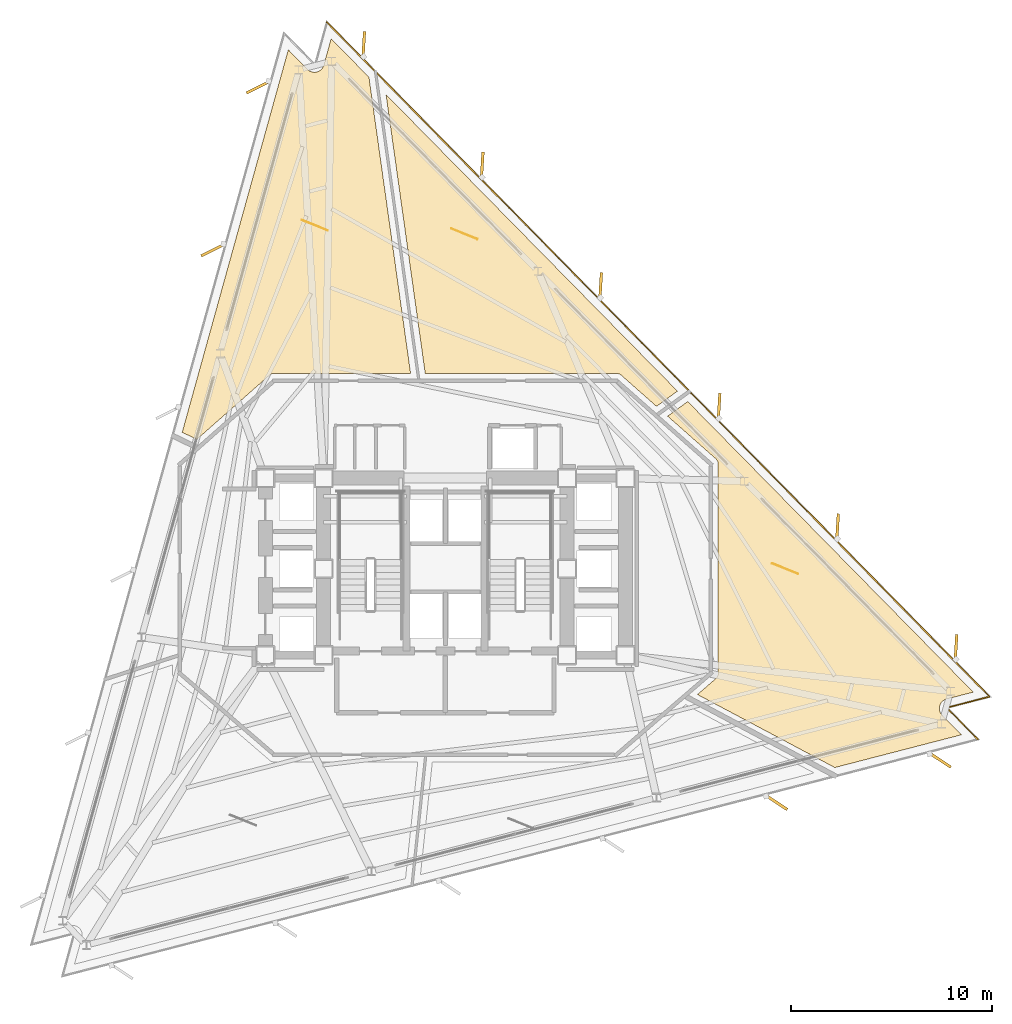
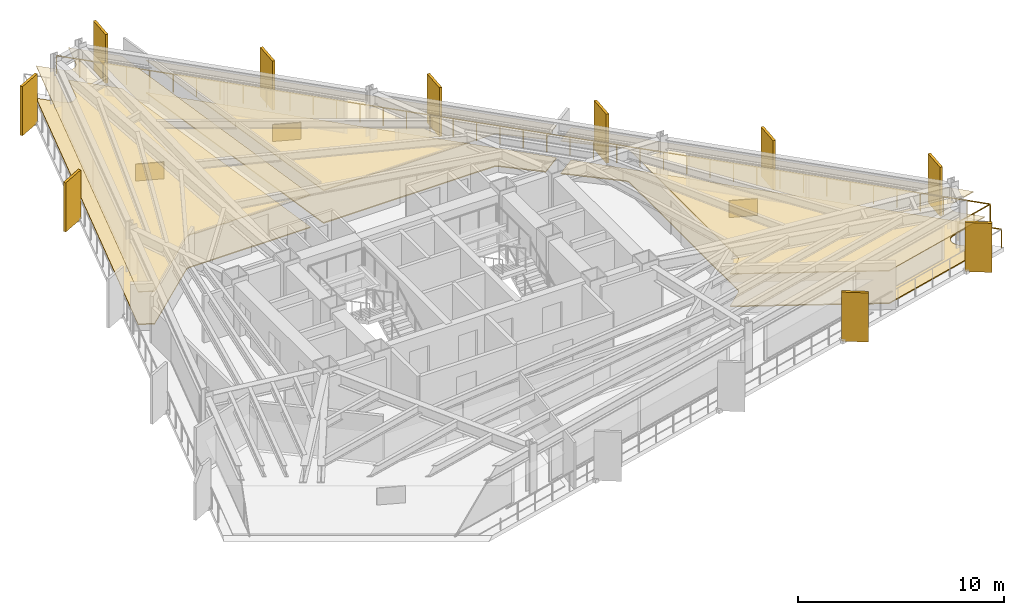
# One storey, part 11 of 11: 10 shading devices, 9 coverings, 1 railing.
"""IFC4 building model written with IfcOpenShell, lengths in metres."""

from ifc_helpers import new_model, si_unit, direction, frame, origin, origin_2d, place, context, subcontext, project, spatial, polyline, rectangle, outline, extrude, material, layer, layer_set, type_object, element, save


model = new_model("IFC4")

# Units and contexts
model_context = context("Model", 3, precision=1e-05, world=origin(), true_north=direction((0.0, 1.0)))
body_context = subcontext(model_context, "Body", "Model", "MODEL_VIEW")
ifc_project = project(units=[si_unit("LENGTHUNIT", "METRE"), si_unit("AREAUNIT", "SQUARE_METRE"), si_unit("VOLUMEUNIT", "CUBIC_METRE"), si_unit("PLANEANGLEUNIT", "RADIAN"), si_unit("MASSUNIT", "GRAM", prefix="KILO")], contexts=[model_context])

# Site, building, storey
site_placement = place(None, origin())
site = spatial("IfcSite", under=ifc_project, at=site_placement, CompositionType="ELEMENT")
building_placement = place(site_placement, origin())
building = spatial("IfcBuilding", under=site, at=building_placement, Name="Rocaltana Carrier Exchange", CompositionType="ELEMENT")
storey_placement = place(building_placement, frame((0.0, 0.0, 88.639892578125)))
storey = spatial("IfcBuildingStorey", under=building, at=storey_placement, Name="L27", CompositionType="ELEMENT", Elevation=88.639892578125)

# Coverings
ifc_material_1 = material(Name="Calcium Sulphate & Aluminium Pedestal", Category="aluminium")
ifc_layer_1 = layer(ifc_material_1, 0.06005859375)
ifc_layer_set_1 = layer_set([ifc_layer_1], Name="Calcium Sulphate & Aluminium Pedestal")
covering_type_1 = type_object("IfcCoveringType", Name="Anti-Static Raised Exchange Access Floor 60", PredefinedType="FLOORING", material=ifc_layer_set_1)
covering_1_placement = place(storey_placement, origin())
element("IfcCovering", 1, at=covering_1_placement, inside=storey, type_object=covering_type_1, Name="L27 Optical Switching Laboratory Finish Floor", PredefinedType="FLOORING", context=body_context, shape_type="SweptSolid", body=[
    extrude(outline(polyline([(26.24072265625, -6.1357421875), (24.915771484375, -6.478515625), (24.90234375, -6.482177734375), (24.88330078125, -6.48828125), (24.857177734375, -6.497802734375), (24.838623046875, -6.505615234375), (24.813720703125, -6.517822265625), (24.796142578125, -6.52734375), (24.7724609375, -6.5419921875), (24.755859375, -6.553466796875), (24.73388671875, -6.5703125), (24.718505859375, -6.583251953125), (24.697998046875, -6.602294921875), (24.684326171875, -6.61669921875), (24.666015625, -6.6376953125), (24.653564453125, -6.6533203125), (24.63720703125, -6.67578125), (24.62646484375, -6.692626953125), (24.61279296875, -6.717041015625), (24.603515625, -6.734619140625), (24.59228515625, -6.76025390625), (24.5849609375, -6.77880859375), (24.576416015625, -6.805419921875), (24.57080078125, -6.824462890625), (24.564697265625, -6.851806640625), (24.561279296875, -6.871337890625), (24.55810546875, -6.899169921875), (24.556640625, -6.9189453125), (24.55615234375, -6.947021484375), (24.556640625, -6.966796875), (24.558837890625, -6.99462890625), (24.561279296875, -7.014404296875), (24.56640625, -7.0419921875), (24.57080078125, -7.061279296875), (24.57861328125, -7.088134765625), (24.5849609375, -7.10693359375), (24.59521484375, -7.133056640625), (24.603515625, -7.151123046875), (24.6162109375, -7.17578125), (24.626220703125, -7.193115234375), (24.6416015625, -7.216552734375), (24.6533203125, -7.232666015625), (24.6708984375, -7.25439453125), (24.68408203125, -7.269287109375), (24.693603515625, -7.279541015625), (25.65283203125, -8.255615234375), (19.356201171875, -9.884033203125), (12.528564453125, -6.25390625), (13.43505859375, -5.47265625), (13.44482421875, -5.4638671875), (13.450439453125, -5.45849609375), (13.468994140625, -5.439208984375), (13.47412109375, -5.433349609375), (13.490478515625, -5.41259765625), (13.4951171875, -5.40625), (13.509521484375, -5.3837890625), (13.51318359375, -5.377197265625), (13.525634765625, -5.353515625), (13.52880859375, -5.346435546875), (13.538818359375, -5.32177734375), (13.541259765625, -5.314453125), (13.548828125, -5.288818359375), (13.550537109375, -5.281494140625), (13.5556640625, -5.255126953125), (13.556884765625, -5.24755859375), (13.559326171875, -5.220947265625), (13.559814453125, -5.21337890625), (13.56005859375, -5.199951171875), (13.56005859375, 5.199951171875), (13.559814453125, 5.213134765625), (13.559326171875, 5.220703125), (13.556884765625, 5.246826171875), (13.555908203125, 5.25439453125), (13.55078125, 5.2802734375), (13.549072265625, 5.28759765625), (13.541748046875, 5.31298828125), (13.539306640625, 5.320068359375), (13.529541015625, 5.344482421875), (13.526611328125, 5.351318359375), (13.5146484375, 5.375), (13.5107421875, 5.38134765625), (13.49658203125, 5.40380859375), (13.492431640625, 5.409912109375), (13.476318359375, 5.4306640625), (13.471435546875, 5.436279296875), (13.453369140625, 5.455810546875), (13.447998046875, 5.4609375), (13.438232421875, 5.469970703125), (11.047119140625, 7.581298828125), (12.047119140625, 8.307861328125), (26.24072265625, -6.1357421875)])), origin(), (0.0, 0.0, 1.0), 0.06005859375),
])
covering_2_placement = place(storey_placement, origin())
element("IfcCovering", 2, at=covering_2_placement, inside=storey, type_object=covering_type_1, Name="L27 Quiet Focus Lounge Finish Floor", PredefinedType="FLOORING", context=body_context, shape_type="SweptSolid", body=[
    extrude(outline(polyline([(11.536865234375, 8.826904296875), (10.494140625, 8.0693359375), (8.73828125, 9.619873046875), (8.727294921875, 9.629150390625), (8.720703125, 9.63427734375), (8.697265625, 9.651123046875), (8.690185546875, 9.655517578125), (8.6650390625, 9.669921875), (8.65771484375, 9.673583984375), (8.631103515625, 9.68505859375), (8.62353515625, 9.68798828125), (8.595947265625, 9.697021484375), (8.587890625, 9.698974609375), (8.5595703125, 9.704833984375), (8.551513671875, 9.706298828125), (8.522705078125, 9.709228515625), (8.514404296875, 9.709716796875), (8.5, 9.7099609375), (-1.001220703125, 9.7099609375), (-2.94873046875, 23.567626953125), (11.536865234375, 8.826904296875)])), origin(), (0.0, 0.0, 1.0), 0.06005859375),
])
covering_3_placement = place(storey_placement, origin())
element("IfcCovering", 3, at=covering_3_placement, inside=storey, type_object=covering_type_1, Name="L27 Peering Conference Room Finish Floor", PredefinedType="FLOORING", context=body_context, shape_type="SweptSolid", body=[
    extrude(outline(polyline([(-7.806640625, 25.79296875), (-6.847412109375, 24.81689453125), (-6.83740234375, 24.80712890625), (-6.82275390625, 24.793701171875), (-6.80126953125, 24.775634765625), (-6.785400390625, 24.763671875), (-6.76220703125, 24.748046875), (-6.7451171875, 24.73779296875), (-6.720703125, 24.724609375), (-6.70263671875, 24.7158203125), (-6.677001953125, 24.705078125), (-6.658203125, 24.698486328125), (-6.63134765625, 24.690185546875), (-6.612060546875, 24.685302734375), (-6.584716796875, 24.679931640625), (-6.56494140625, 24.677001953125), (-6.537109375, 24.67431640625), (-6.517333984375, 24.673583984375), (-6.489501953125, 24.673583984375), (-6.469482421875, 24.6748046875), (-6.441650390625, 24.677490234375), (-6.422119140625, 24.6806640625), (-6.39453125, 24.686279296875), (-6.375244140625, 24.691162109375), (-6.3486328125, 24.699462890625), (-6.330078125, 24.706298828125), (-6.30419921875, 24.71728515625), (-6.286376953125, 24.72607421875), (-6.261962890625, 24.739501953125), (-6.244873046875, 24.75), (-6.221923828125, 24.765869140625), (-6.2060546875, 24.77783203125), (-6.184814453125, 24.7958984375), (-6.170166015625, 24.8095703125), (-6.15087890625, 24.82958984375), (-6.1376953125, 24.844482421875), (-6.120361328125, 24.866455078125), (-6.108642578125, 24.8828125), (-6.09375, 24.90625), (-6.083740234375, 24.923583984375), (-6.071044921875, 24.948486328125), (-6.06298828125, 24.966552734375), (-6.052978515625, 24.99267578125), (-6.046630859375, 25.01171875), (-6.04248046875, 25.02490234375), (-5.6767578125, 26.34375), (-3.797119140625, 24.430908203125), (-1.728271484375, 9.7099609375), (-8.5, 9.7099609375), (-8.514404296875, 9.709716796875), (-8.522705078125, 9.709228515625), (-8.551513671875, 9.706298828125), (-8.5595703125, 9.704833984375), (-8.587890625, 9.698974609375), (-8.595947265625, 9.697021484375), (-8.62353515625, 9.68798828125), (-8.631103515625, 9.68505859375), (-8.65771484375, 9.673583984375), (-8.6650390625, 9.669921875), (-8.690185546875, 9.655517578125), (-8.697265625, 9.651123046875), (-8.720703125, 9.63427734375), (-8.727294921875, 9.629150390625), (-8.73828125, 9.619873046875), (-12.35498046875, 6.426513671875), (-13.07958984375, 6.77978515625), (-7.806640625, 25.79296875)])), origin(), (0.0, 0.0, 1.0), 0.06005859375),
])
ifc_material_2 = material(Name="Mineral Fibre & Powder-Coated Aluminium", Category="aluminium")
ifc_layer_2 = layer(ifc_material_2, 0.044921875)
ifc_layer_set_2 = layer_set([ifc_layer_2], Name="Mineral Fibre & Powder-Coated Aluminium")
covering_type_2 = type_object("IfcCoveringType", Name="Micro-Perforated Acoustic Ceiling 45", PredefinedType="CEILING", material=ifc_layer_set_2)
covering_4_placement = place(storey_placement, frame((0.0, 0.0, 1.93310546875)))
element("IfcCovering", 4, at=covering_4_placement, inside=storey, type_object=covering_type_2, Name="L27 Optical Switching Laboratory Acoustic Ceiling", PredefinedType="CEILING", context=body_context, shape_type="SweptSolid", body=[
    extrude(outline(polyline([(26.24072265625, -6.1357421875), (24.915771484375, -6.478515625), (24.90234375, -6.482177734375), (24.88330078125, -6.48828125), (24.857177734375, -6.497802734375), (24.838623046875, -6.505615234375), (24.813720703125, -6.517822265625), (24.796142578125, -6.52734375), (24.7724609375, -6.5419921875), (24.755859375, -6.553466796875), (24.73388671875, -6.5703125), (24.718505859375, -6.583251953125), (24.697998046875, -6.602294921875), (24.684326171875, -6.61669921875), (24.666015625, -6.6376953125), (24.653564453125, -6.6533203125), (24.63720703125, -6.67578125), (24.62646484375, -6.692626953125), (24.61279296875, -6.717041015625), (24.603515625, -6.734619140625), (24.59228515625, -6.76025390625), (24.5849609375, -6.77880859375), (24.576416015625, -6.805419921875), (24.57080078125, -6.824462890625), (24.564697265625, -6.851806640625), (24.561279296875, -6.871337890625), (24.55810546875, -6.899169921875), (24.556640625, -6.9189453125), (24.55615234375, -6.947021484375), (24.556640625, -6.966796875), (24.558837890625, -6.99462890625), (24.561279296875, -7.014404296875), (24.56640625, -7.0419921875), (24.57080078125, -7.061279296875), (24.57861328125, -7.088134765625), (24.5849609375, -7.10693359375), (24.59521484375, -7.133056640625), (24.603515625, -7.151123046875), (24.6162109375, -7.17578125), (24.626220703125, -7.193115234375), (24.6416015625, -7.216552734375), (24.6533203125, -7.232666015625), (24.6708984375, -7.25439453125), (24.68408203125, -7.269287109375), (24.693603515625, -7.279541015625), (25.65283203125, -8.255615234375), (19.356201171875, -9.884033203125), (12.528564453125, -6.25390625), (13.43505859375, -5.47265625), (13.44482421875, -5.4638671875), (13.450439453125, -5.45849609375), (13.468994140625, -5.439208984375), (13.47412109375, -5.433349609375), (13.490478515625, -5.41259765625), (13.4951171875, -5.40625), (13.509521484375, -5.3837890625), (13.51318359375, -5.377197265625), (13.525634765625, -5.353515625), (13.52880859375, -5.346435546875), (13.538818359375, -5.32177734375), (13.541259765625, -5.314453125), (13.548828125, -5.288818359375), (13.550537109375, -5.281494140625), (13.5556640625, -5.255126953125), (13.556884765625, -5.24755859375), (13.559326171875, -5.220947265625), (13.559814453125, -5.21337890625), (13.56005859375, -5.199951171875), (13.56005859375, 5.199951171875), (13.559814453125, 5.213134765625), (13.559326171875, 5.220703125), (13.556884765625, 5.246826171875), (13.555908203125, 5.25439453125), (13.55078125, 5.2802734375), (13.549072265625, 5.28759765625), (13.541748046875, 5.31298828125), (13.539306640625, 5.320068359375), (13.529541015625, 5.344482421875), (13.526611328125, 5.351318359375), (13.5146484375, 5.375), (13.5107421875, 5.38134765625), (13.49658203125, 5.40380859375), (13.492431640625, 5.409912109375), (13.476318359375, 5.4306640625), (13.471435546875, 5.436279296875), (13.453369140625, 5.455810546875), (13.447998046875, 5.4609375), (13.438232421875, 5.469970703125), (11.047119140625, 7.581298828125), (12.047119140625, 8.307861328125), (26.24072265625, -6.1357421875)])), origin(), (0.0, 0.0, 1.0), 0.044921875),
])
covering_5_placement = place(storey_placement, frame((0.0, 0.0, 1.93310546875)))
element("IfcCovering", 5, at=covering_5_placement, inside=storey, type_object=covering_type_2, Name="L27 Quiet Focus Lounge Acoustic Ceiling", PredefinedType="CEILING", context=body_context, shape_type="SweptSolid", body=[
    extrude(outline(polyline([(11.536865234375, 8.826904296875), (10.494140625, 8.0693359375), (8.73828125, 9.619873046875), (8.727294921875, 9.629150390625), (8.720703125, 9.63427734375), (8.697265625, 9.651123046875), (8.690185546875, 9.655517578125), (8.6650390625, 9.669921875), (8.65771484375, 9.673583984375), (8.631103515625, 9.68505859375), (8.62353515625, 9.68798828125), (8.595947265625, 9.697021484375), (8.587890625, 9.698974609375), (8.5595703125, 9.704833984375), (8.551513671875, 9.706298828125), (8.522705078125, 9.709228515625), (8.514404296875, 9.709716796875), (8.5, 9.7099609375), (-1.001220703125, 9.7099609375), (-2.94873046875, 23.567626953125), (11.536865234375, 8.826904296875)])), origin(), (0.0, 0.0, 1.0), 0.044921875),
])
covering_6_placement = place(storey_placement, frame((0.0, 0.0, 1.93310546875)))
element("IfcCovering", 6, at=covering_6_placement, inside=storey, type_object=covering_type_2, Name="L27 Peering Conference Room Acoustic Ceiling", PredefinedType="CEILING", context=body_context, shape_type="SweptSolid", body=[
    extrude(outline(polyline([(-7.806640625, 25.79296875), (-6.847412109375, 24.81689453125), (-6.83740234375, 24.80712890625), (-6.82275390625, 24.793701171875), (-6.80126953125, 24.775634765625), (-6.785400390625, 24.763671875), (-6.76220703125, 24.748046875), (-6.7451171875, 24.73779296875), (-6.720703125, 24.724609375), (-6.70263671875, 24.7158203125), (-6.677001953125, 24.705078125), (-6.658203125, 24.698486328125), (-6.63134765625, 24.690185546875), (-6.612060546875, 24.685302734375), (-6.584716796875, 24.679931640625), (-6.56494140625, 24.677001953125), (-6.537109375, 24.67431640625), (-6.517333984375, 24.673583984375), (-6.489501953125, 24.673583984375), (-6.469482421875, 24.6748046875), (-6.441650390625, 24.677490234375), (-6.422119140625, 24.6806640625), (-6.39453125, 24.686279296875), (-6.375244140625, 24.691162109375), (-6.3486328125, 24.699462890625), (-6.330078125, 24.706298828125), (-6.30419921875, 24.71728515625), (-6.286376953125, 24.72607421875), (-6.261962890625, 24.739501953125), (-6.244873046875, 24.75), (-6.221923828125, 24.765869140625), (-6.2060546875, 24.77783203125), (-6.184814453125, 24.7958984375), (-6.170166015625, 24.8095703125), (-6.15087890625, 24.82958984375), (-6.1376953125, 24.844482421875), (-6.120361328125, 24.866455078125), (-6.108642578125, 24.8828125), (-6.09375, 24.90625), (-6.083740234375, 24.923583984375), (-6.071044921875, 24.948486328125), (-6.06298828125, 24.966552734375), (-6.052978515625, 24.99267578125), (-6.046630859375, 25.01171875), (-6.04248046875, 25.02490234375), (-5.6767578125, 26.34375), (-3.797119140625, 24.430908203125), (-1.728271484375, 9.7099609375), (-8.5, 9.7099609375), (-8.514404296875, 9.709716796875), (-8.522705078125, 9.709228515625), (-8.551513671875, 9.706298828125), (-8.5595703125, 9.704833984375), (-8.587890625, 9.698974609375), (-8.595947265625, 9.697021484375), (-8.62353515625, 9.68798828125), (-8.631103515625, 9.68505859375), (-8.65771484375, 9.673583984375), (-8.6650390625, 9.669921875), (-8.690185546875, 9.655517578125), (-8.697265625, 9.651123046875), (-8.720703125, 9.63427734375), (-8.727294921875, 9.629150390625), (-8.73828125, 9.619873046875), (-12.35498046875, 6.426513671875), (-13.07958984375, 6.77978515625), (-7.806640625, 25.79296875)])), origin(), (0.0, 0.0, 1.0), 0.044921875),
])
ifc_material_3 = material(Name="Honed Piedra Muneca Sandstone", Category="masonry")
ifc_layer_3 = layer(ifc_material_3, 0.034912109375)
ifc_layer_set_3 = layer_set([ifc_layer_3], Name="Honed Piedra Muneca Sandstone")
covering_type_3 = type_object("IfcCoveringType", Name="Stone Facade Cladding 35", PredefinedType="CLADDING", material=ifc_layer_set_3)
for number, where, z_axis, x_axis, name in (
    (7, (16.885498046875, 0.0, 0.0), (0.0, 0.0, 1.0), (-0.927183854567, 0.374606593416, 0.0), "L27 Stone Facade Cladding Panel 4"),
    (8, (0.942626953125, 16.638916015625, 0.0), (0.0, 0.0, 1.0), (-0.927183854567, 0.374606593416, 0.0), "L27 Stone Facade Cladding Panel 5"),
    (9, (-6.494140625, 17.070556640625, 0.0), (0.0, 0.0, 1.0), (-0.927183854567, 0.374606593416, 0.0), "L27 Stone Facade Cladding Panel 6"),
):
    element("IfcCovering", number, at=place(storey_placement, frame(where, z_axis=z_axis, x_axis=x_axis)), inside=storey, type_object=covering_type_3, Name=name, PredefinedType="CLADDING", context=body_context, shape_type="SweptSolid", body=[
        extrude(rectangle(XDim=1.39990234375, YDim=0.034912109375, at=origin_2d()), origin(), (0.0, 0.0, 1.0), 1.050048828125),
    ])

# Shading devices
ifc_material_4 = material(Name="Honed Bogota Sandstone & Concrete C45/55", Category="masonry")
ifc_layer_4 = layer(ifc_material_4, 0.139892578125)
ifc_layer_set_4 = layer_set([ifc_layer_4], Name="Honed Bogota Sandstone & Concrete C45/55")
shading_device_type = type_object("IfcShadingDeviceType", Name="Vertical Sandstone Shading Fin 1320x140", PredefinedType="USERDEFINED", material=ifc_layer_set_4)
for number, where, z_axis, x_axis, name in (
    (10, (25.38134765625, -3.9189453125, -0.11962890625), (0.0, 0.0, 1.0), (0.061048539535, 0.998134798422, 0.0), "L27 Sandstone Vertical Fin F1-01"),
    (11, (19.49365234375, 2.072509765625, -0.11962890625), (0.0, 0.0, 1.0), (0.061048539535, 0.998134798422, 0.0), "L27 Sandstone Vertical Fin F1-02"),
    (12, (13.60595703125, 8.063720703125, -0.11962890625), (0.0, 0.0, 1.0), (0.061048539535, 0.998134798422, 0.0), "L27 Sandstone Vertical Fin F1-03"),
    (13, (7.718505859375, 14.054931640625, -0.11962890625), (0.0, 0.0, 1.0), (0.061048539535, 0.998134798422, 0.0), "L27 Sandstone Vertical Fin F1-04"),
    (14, (1.830810546875, 20.04638671875, -0.11962890625), (0.0, 0.0, 1.0), (0.061048539535, 0.998134798422, 0.0), "L27 Sandstone Vertical Fin F1-05"),
    (15, (-4.056884765625, 26.03759765625, -0.11962890625), (0.0, 0.0, 1.0), (0.061048539535, 0.998134798422, 0.0), "L27 Sandstone Vertical Fin F1-06"),
    (16, (-9.296630859375, 23.940185546875, -0.11962890625), (0.0, 0.0, 1.0), (-0.894934361602, -0.44619781311, 0.0), "L27 Sandstone Vertical Fin F2-01"),
    (17, (-11.54150390625, 15.845703125, -0.11962890625), (0.0, 0.0, 1.0), (-0.894934361602, -0.44619781311, 0.0), "L27 Sandstone Vertical Fin F2-02"),
    (18, (16.4453125, -11.608642578125, -0.11962890625), (0.0, 0.0, 1.0), (0.833885822067, -0.551936985312, 0.0), "L27 Sandstone Vertical Fin F3-05"),
    (19, (24.57763671875, -9.50537109375, -0.11962890625), (0.0, 0.0, 1.0), (0.833885822067, -0.551936985312, 0.0), "L27 Sandstone Vertical Fin F3-06"),
):
    element("IfcShadingDevice", number, at=place(storey_placement, frame(where, z_axis=z_axis, x_axis=x_axis)), inside=storey, type_object=shading_device_type, Name=name, ObjectType="FIN", PredefinedType="USERDEFINED", context=body_context, shape_type="SweptSolid", body=[
        extrude(rectangle(XDim=1.320068359375, YDim=0.139892578125, at=origin_2d()), origin(), (0.0, 0.0, 1.0), 2.907958984375),
    ])

# Railing
ifc_material_5 = material(Name="Powder-Coated Aluminium 6063-T6", Category="aluminium")
ifc_layer_5 = layer(ifc_material_5, 0.06005859375)
ifc_layer_set_5 = layer_set([ifc_layer_5], Name="Powder-Coated Aluminium 6063-T6")
railing_type = type_object("IfcRailingType", Name="Wind-Floor & Terrace Perimeter Guardrail 1100", PredefinedType="GUARDRAIL", material=ifc_layer_set_5)
railing_placement = place(storey_placement, frame((-5.88720703125, 27.156982421875, 0.0)))
element("IfcRailing", 20, at=railing_placement, inside=storey, type_object=railing_type, Name="L27 Perimeter Balcony Guardrail 3", PredefinedType="GUARDRAIL", context=body_context, shape_type="SweptSolid", body=[
    extrude(rectangle(XDim=0.048095703125, YDim=0.048095703125, at=origin_2d()), frame((0.0, 0.0, 1.076171875), z_axis=(0.7009130267, -0.713246751835, 0.0), x_axis=(0.713246751835, 0.7009130267, 0.0)), (0.0, 0.0, 1.0), 46.9921875),
    extrude(rectangle(XDim=0.048095703125, YDim=0.048095703125, at=origin_2d()), frame((32.9375, -33.51708984375, 1.076171875), z_axis=(-0.968152477167, -0.250361300835, 0.0), x_axis=(0.250361300835, -0.968152477167, 0.0)), (0.0, 0.0, 1.0), 2.199951171875),
    extrude(rectangle(XDim=0.048095703125, YDim=0.048095703125, at=origin_2d()), frame((30.8076171875, -34.06787109375, 1.076171875), z_axis=(0.700920820206, -0.713239093012, 0.0), x_axis=(0.713239093012, 0.700920820206, 0.0)), (0.0, 0.0, 1.0), 2.199951171875),
    extrude(rectangle(XDim=0.0419921875, YDim=0.0419921875, at=origin_2d()), origin(), (0.0, 0.0, 1.0), 1.052001953125),
    extrude(rectangle(XDim=0.0419921875, YDim=0.0419921875, at=origin_2d()), frame((0.823486328125, -0.837890625, 0.0)), (0.0, 0.0, 1.0), 1.052001953125),
    extrude(rectangle(XDim=0.0419921875, YDim=0.0419921875, at=origin_2d()), frame((1.64697265625, -1.67578125, 0.0)), (0.0, 0.0, 1.0), 1.052001953125),
    extrude(rectangle(XDim=0.0419921875, YDim=0.0419921875, at=origin_2d()), frame((2.47021484375, -2.513671875, 0.0)), (0.0, 0.0, 1.0), 1.052001953125),
    extrude(rectangle(XDim=0.0419921875, YDim=0.0419921875, at=origin_2d()), frame((3.293701171875, -3.351806640625, 0.0)), (0.0, 0.0, 1.0), 1.052001953125),
    extrude(rectangle(XDim=0.0419921875, YDim=0.0419921875, at=origin_2d()), frame((4.1171875, -4.189697265625, 0.0)), (0.0, 0.0, 1.0), 1.052001953125),
    extrude(rectangle(XDim=0.0419921875, YDim=0.0419921875, at=origin_2d()), frame((4.940673828125, -5.027587890625, 0.0)), (0.0, 0.0, 1.0), 1.052001953125),
    extrude(rectangle(XDim=0.0419921875, YDim=0.0419921875, at=origin_2d()), frame((5.76416015625, -5.865478515625, 0.0)), (0.0, 0.0, 1.0), 1.052001953125),
    extrude(rectangle(XDim=0.0419921875, YDim=0.0419921875, at=origin_2d()), frame((6.58740234375, -6.703369140625, 0.0)), (0.0, 0.0, 1.0), 1.052001953125),
    extrude(rectangle(XDim=0.0419921875, YDim=0.0419921875, at=origin_2d()), frame((7.410888671875, -7.541259765625, 0.0)), (0.0, 0.0, 1.0), 1.052001953125),
    extrude(rectangle(XDim=0.0419921875, YDim=0.0419921875, at=origin_2d()), frame((8.234375, -8.37939453125, 0.0)), (0.0, 0.0, 1.0), 1.052001953125),
    extrude(rectangle(XDim=0.0419921875, YDim=0.0419921875, at=origin_2d()), frame((9.057861328125, -9.21728515625, 0.0)), (0.0, 0.0, 1.0), 1.052001953125),
    extrude(rectangle(XDim=0.0419921875, YDim=0.0419921875, at=origin_2d()), frame((9.88134765625, -10.05517578125, 0.0)), (0.0, 0.0, 1.0), 1.052001953125),
    extrude(rectangle(XDim=0.0419921875, YDim=0.0419921875, at=origin_2d()), frame((10.70458984375, -10.89306640625, 0.0)), (0.0, 0.0, 1.0), 1.052001953125),
    extrude(rectangle(XDim=0.0419921875, YDim=0.0419921875, at=origin_2d()), frame((11.528076171875, -11.73095703125, 0.0)), (0.0, 0.0, 1.0), 1.052001953125),
    extrude(rectangle(XDim=0.0419921875, YDim=0.0419921875, at=origin_2d()), frame((12.3515625, -12.56884765625, 0.0)), (0.0, 0.0, 1.0), 1.052001953125),
    extrude(rectangle(XDim=0.0419921875, YDim=0.0419921875, at=origin_2d()), frame((13.175048828125, -13.40673828125, 0.0)), (0.0, 0.0, 1.0), 1.052001953125),
    extrude(rectangle(XDim=0.0419921875, YDim=0.0419921875, at=origin_2d()), frame((13.99853515625, -14.244873046875, 0.0)), (0.0, 0.0, 1.0), 1.052001953125),
    extrude(rectangle(XDim=0.0419921875, YDim=0.0419921875, at=origin_2d()), frame((14.82177734375, -15.082763671875, 0.0)), (0.0, 0.0, 1.0), 1.052001953125),
    extrude(rectangle(XDim=0.0419921875, YDim=0.0419921875, at=origin_2d()), frame((15.645263671875, -15.920654296875, 0.0)), (0.0, 0.0, 1.0), 1.052001953125),
    extrude(rectangle(XDim=0.0419921875, YDim=0.0419921875, at=origin_2d()), frame((16.46875, -16.758544921875, 0.0)), (0.0, 0.0, 1.0), 1.052001953125),
    extrude(rectangle(XDim=0.0419921875, YDim=0.0419921875, at=origin_2d()), frame((17.292236328125, -17.596435546875, 0.0)), (0.0, 0.0, 1.0), 1.052001953125),
    extrude(rectangle(XDim=0.0419921875, YDim=0.0419921875, at=origin_2d()), frame((18.11572265625, -18.434326171875, 0.0)), (0.0, 0.0, 1.0), 1.052001953125),
    extrude(rectangle(XDim=0.0419921875, YDim=0.0419921875, at=origin_2d()), frame((18.93896484375, -19.272216796875, 0.0)), (0.0, 0.0, 1.0), 1.052001953125),
    extrude(rectangle(XDim=0.0419921875, YDim=0.0419921875, at=origin_2d()), frame((19.762451171875, -20.1103515625, 0.0)), (0.0, 0.0, 1.0), 1.052001953125),
    extrude(rectangle(XDim=0.0419921875, YDim=0.0419921875, at=origin_2d()), frame((20.5859375, -20.9482421875, 0.0)), (0.0, 0.0, 1.0), 1.052001953125),
    extrude(rectangle(XDim=0.0419921875, YDim=0.0419921875, at=origin_2d()), frame((21.409423828125, -21.7861328125, 0.0)), (0.0, 0.0, 1.0), 1.052001953125),
    extrude(rectangle(XDim=0.0419921875, YDim=0.0419921875, at=origin_2d()), frame((22.23291015625, -22.6240234375, 0.0)), (0.0, 0.0, 1.0), 1.052001953125),
    extrude(rectangle(XDim=0.0419921875, YDim=0.0419921875, at=origin_2d()), frame((23.05615234375, -23.4619140625, 0.0)), (0.0, 0.0, 1.0), 1.052001953125),
    extrude(rectangle(XDim=0.0419921875, YDim=0.0419921875, at=origin_2d()), frame((23.879638671875, -24.2998046875, 0.0)), (0.0, 0.0, 1.0), 1.052001953125),
    extrude(rectangle(XDim=0.0419921875, YDim=0.0419921875, at=origin_2d()), frame((24.703125, -25.1376953125, 0.0)), (0.0, 0.0, 1.0), 1.052001953125),
    extrude(rectangle(XDim=0.0419921875, YDim=0.0419921875, at=origin_2d()), frame((25.526611328125, -25.975830078125, 0.0)), (0.0, 0.0, 1.0), 1.052001953125),
    extrude(rectangle(XDim=0.0419921875, YDim=0.0419921875, at=origin_2d()), frame((26.35009765625, -26.813720703125, 0.0)), (0.0, 0.0, 1.0), 1.052001953125),
    extrude(rectangle(XDim=0.0419921875, YDim=0.0419921875, at=origin_2d()), frame((27.17333984375, -27.651611328125, 0.0)), (0.0, 0.0, 1.0), 1.052001953125),
    extrude(rectangle(XDim=0.0419921875, YDim=0.0419921875, at=origin_2d()), frame((27.996826171875, -28.489501953125, 0.0)), (0.0, 0.0, 1.0), 1.052001953125),
    extrude(rectangle(XDim=0.0419921875, YDim=0.0419921875, at=origin_2d()), frame((28.8203125, -29.327392578125, 0.0)), (0.0, 0.0, 1.0), 1.052001953125),
    extrude(rectangle(XDim=0.0419921875, YDim=0.0419921875, at=origin_2d()), frame((29.643798828125, -30.165283203125, 0.0)), (0.0, 0.0, 1.0), 1.052001953125),
    extrude(rectangle(XDim=0.0419921875, YDim=0.0419921875, at=origin_2d()), frame((30.46728515625, -31.00341796875, 0.0)), (0.0, 0.0, 1.0), 1.052001953125),
    extrude(rectangle(XDim=0.0419921875, YDim=0.0419921875, at=origin_2d()), frame((31.29052734375, -31.84130859375, 0.0)), (0.0, 0.0, 1.0), 1.052001953125),
    extrude(rectangle(XDim=0.0419921875, YDim=0.0419921875, at=origin_2d()), frame((32.114013671875, -32.67919921875, 0.0)), (0.0, 0.0, 1.0), 1.052001953125),
    extrude(rectangle(XDim=0.0419921875, YDim=0.0419921875, at=origin_2d()), frame((32.9375, -33.51708984375, 0.0)), (0.0, 0.0, 1.0), 1.052001953125),
    extrude(rectangle(XDim=0.0419921875, YDim=0.0419921875, at=origin_2d()), frame((31.87255859375, -33.79248046875, 0.0)), (0.0, 0.0, 1.0), 1.052001953125),
    extrude(rectangle(XDim=0.0419921875, YDim=0.0419921875, at=origin_2d()), frame((30.8076171875, -34.06787109375, 0.0)), (0.0, 0.0, 1.0), 1.052001953125),
    extrude(rectangle(XDim=0.0419921875, YDim=0.0419921875, at=origin_2d()), frame((31.57861328125, -34.8525390625, 0.0)), (0.0, 0.0, 1.0), 1.052001953125),
    extrude(rectangle(XDim=0.0419921875, YDim=0.0419921875, at=origin_2d()), frame((32.349609375, -35.636962890625, 0.0)), (0.0, 0.0, 1.0), 1.052001953125),
])

save(model, "model.ifc")
